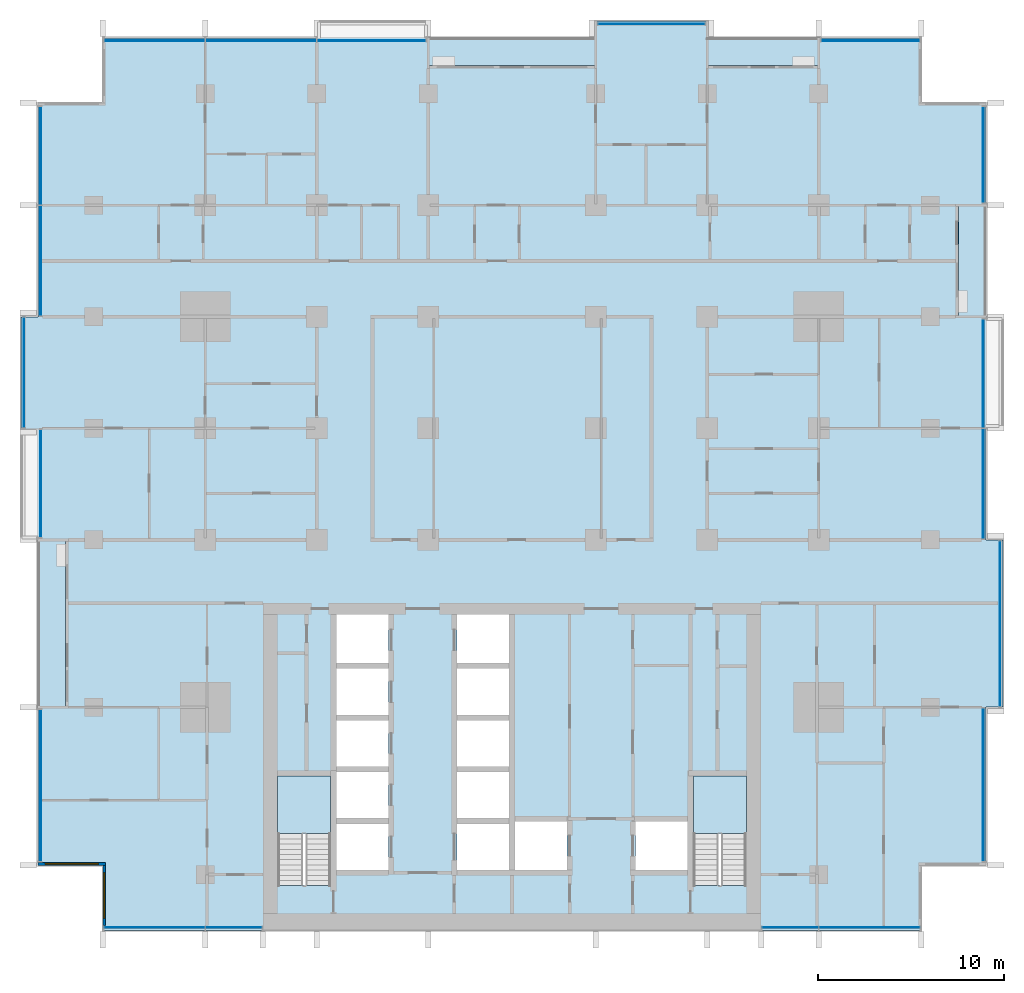
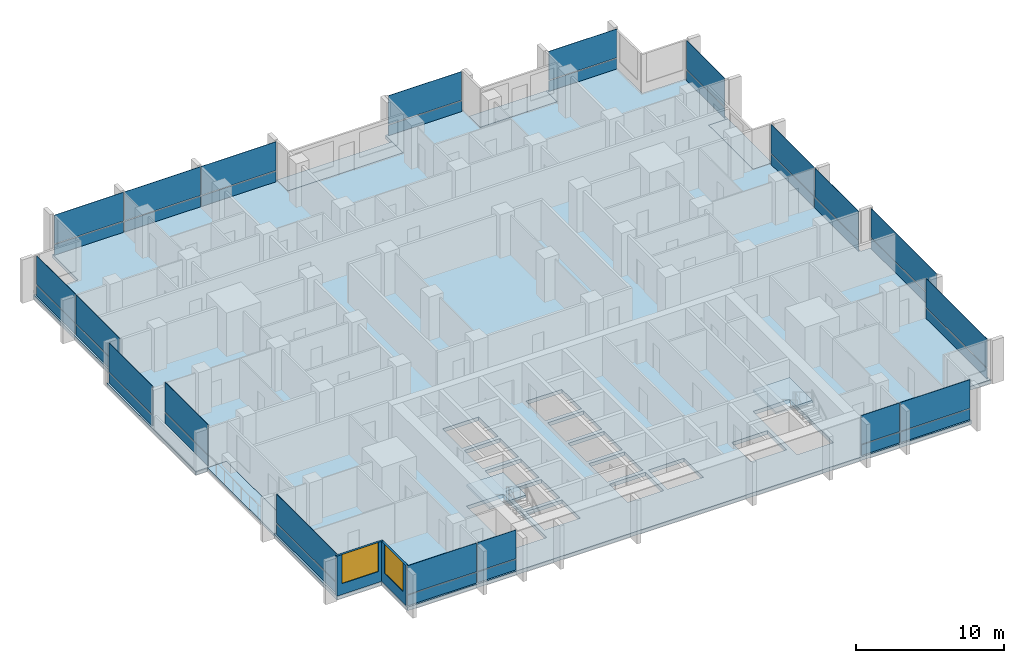
# One storey, part 6 of 19: 38 plates, 7 slabs, 2 walls, 2 windows, 2 openings, 15 elements without a shape of their own.
"""IFC4 building model written with IfcOpenShell, lengths in metres."""

from ifc_helpers import new_model, si_unit, direction, frame, frame_2d, origin, origin_2d, place, context, subcontext, project, spatial, polyline, rectangle, outline, extrude, material, layer, layer_set, type_object, element, fill, aggregate, save


model = new_model("IFC4")

# Units and contexts
model_context = context("Model", 3, precision=1e-05, world=origin(), true_north=direction((0.0, 1.0)))
body_context = subcontext(model_context, "Body", "Model", "MODEL_VIEW")
ifc_project = project(units=[si_unit("LENGTHUNIT", "METRE"), si_unit("AREAUNIT", "SQUARE_METRE"), si_unit("VOLUMEUNIT", "CUBIC_METRE"), si_unit("PLANEANGLEUNIT", "RADIAN"), si_unit("MASSUNIT", "GRAM", prefix="KILO")], contexts=[model_context])

# Site, building, storey
site_placement = place(None, origin())
site = spatial("IfcSite", under=ifc_project, at=site_placement, CompositionType="ELEMENT")
building_placement = place(site_placement, origin())
building = spatial("IfcBuilding", under=site, at=building_placement, Name="Finial Court Residences", CompositionType="ELEMENT")
storey_placement = place(building_placement, frame((0.0, 0.0, 88.300048828125)))
storey = spatial("IfcBuildingStorey", under=building, at=storey_placement, Name="L21", CompositionType="ELEMENT", Elevation=88.300048828125)

# Slabs
ifc_material_1 = material(Name="Concrete C35/45", Category="concrete")
ifc_layer_1 = layer(ifc_material_1, 0.199951171875)
ifc_layer_set_1 = layer_set([ifc_layer_1], Name="Balcony slab, Concrete C35/45 200")
slab_type_1 = type_object("IfcSlabType", Name="Balcony slab, Concrete C35/45 200", PredefinedType="FLOOR", material=ifc_layer_set_1)
slab_1_placement = place(storey_placement, frame((0.0, 0.0, -0.199951171875)))
element("IfcSlab", 1, at=slab_1_placement, inside=storey, type_object=slab_type_1, Name="Balcony L21-N4", PredefinedType="FLOOR", context=body_context, shape_type="SweptSolid", body=[
    extrude(outline(polyline([(4.5, 21.0), (4.5, 22.5), (-4.5, 22.5), (-4.5, 21.0), (4.5, 21.0)])), origin(), (0.0, 0.0, 1.0), 0.199951171875),
])
slab_2_placement = place(storey_placement, frame((0.0, 0.0, -0.199951171875)))
element("IfcSlab", 2, at=slab_2_placement, inside=storey, type_object=slab_type_1, Name="Balcony L21-N6", PredefinedType="FLOOR", context=body_context, shape_type="SweptSolid", body=[
    extrude(outline(polyline([(16.5, 21.0), (16.5, 22.5), (10.5, 22.5), (10.5, 21.0), (16.5, 21.0)])), origin(), (0.0, 0.0, 1.0), 0.199951171875),
])
slab_3_placement = place(storey_placement, frame((0.0, 0.0, -0.199951171875)))
element("IfcSlab", 3, at=slab_3_placement, inside=storey, type_object=slab_type_1, Name="Balcony L21-E5", PredefinedType="FLOOR", context=body_context, shape_type="SweptSolid", body=[
    extrude(outline(polyline([(25.5, 7.5), (25.5, 13.5), (24.0, 13.5), (24.0, 7.5), (25.5, 7.5)])), origin(), (0.0, 0.0, 1.0), 0.199951171875),
])
slab_4_placement = place(storey_placement, frame((0.0, 0.0, -0.199951171875)))
element("IfcSlab", 4, at=slab_4_placement, inside=storey, type_object=slab_type_1, Name="Balcony L21-W2", PredefinedType="FLOOR", context=body_context, shape_type="SweptSolid", body=[
    extrude(outline(polyline([(-24.0, -13.5), (-24.0, -4.5), (-25.5, -4.5), (-25.5, -13.5), (-24.0, -13.5)])), origin(), (0.0, 0.0, 1.0), 0.199951171875),
])

# Curtain wall, plates
ifc_material_2 = material(Name="Bronze anodised aluminium", Category="aluminium")
curtain_wall_type = type_object("IfcCurtainWallType", Name="Unitised curtain wall, lower and middle zones", PredefinedType="NOTDEFINED", material=ifc_material_2)
curtain_wall_1_placement = place(storey_placement, origin())
curtain_wall_1 = element("IfcCurtainWall", 5, at=curtain_wall_1_placement, inside=storey, type_object=curtain_wall_type, Name="E-L21-CW-N1", PredefinedType="NOTDEFINED")
ifc_layer_2 = layer(ifc_material_2, 0.0400390625)
ifc_layer_set_2 = layer_set([ifc_layer_2], Name="CW1 spandrel panel 40")
plate_type_1 = type_object("IfcPlateType", Name="CW1 spandrel panel 40", PredefinedType="CURTAIN_PANEL", material=ifc_layer_set_2)
plate_1_placement = place(storey_placement, frame((-19.23388671875, 22.35009765625, 0.0), z_axis=(0.0, 0.0, 1.0), x_axis=(1.0, 0.0, 0.0)))
plate_1 = element("IfcPlate", 6, at=plate_1_placement, type_object=plate_type_1, Name="CW1 spandrel 1.1", PredefinedType="CURTAIN_PANEL", context=body_context, shape_type="SweptSolid", body=[
    extrude(rectangle(XDim=5.402587890625, YDim=0.0400390625, at=origin_2d()), origin(), (0.0, 0.0, 1.0), 0.867431640625),
])
plate_2_placement = place(storey_placement, frame((-13.5, 22.35009765625, 0.0), z_axis=(0.0, 0.0, 1.0), x_axis=(1.0, 0.0, 0.0)))
plate_2 = element("IfcPlate", 7, at=plate_2_placement, type_object=plate_type_1, Name="CW1 spandrel 2.1", PredefinedType="CURTAIN_PANEL", context=body_context, shape_type="SweptSolid", body=[
    extrude(rectangle(XDim=5.93505859375, YDim=0.0400390625, at=origin_2d()), origin(), (0.0, 0.0, 1.0), 0.867431640625),
])
plate_3_placement = place(storey_placement, frame((-7.5537109375, 22.35009765625, 0.0), z_axis=(0.0, 0.0, 1.0), x_axis=(1.0, 0.0, 0.0)))
plate_3 = element("IfcPlate", 8, at=plate_3_placement, type_object=plate_type_1, Name="CW1 spandrel 3.1", PredefinedType="CURTAIN_PANEL", context=body_context, shape_type="SweptSolid", body=[
    extrude(rectangle(XDim=5.827392578125, YDim=0.0400390625, at=origin_2d()), origin(), (0.0, 0.0, 1.0), 0.867431640625),
])

# Curtain wall, plate
curtain_wall_2_placement = place(storey_placement, origin())
curtain_wall_2 = element("IfcCurtainWall", 9, at=curtain_wall_2_placement, inside=storey, type_object=curtain_wall_type, Name="E-L21-CW-N2", PredefinedType="NOTDEFINED")
plate_4_placement = place(storey_placement, frame((7.5, 23.25, 0.0), z_axis=(0.0, 0.0, 1.0), x_axis=(1.0, 0.0, 0.0)))
plate_4 = element("IfcPlate", 10, at=plate_4_placement, type_object=plate_type_1, Name="CW1 spandrel 1.1", PredefinedType="CURTAIN_PANEL", context=body_context, shape_type="SweptSolid", body=[
    extrude(rectangle(XDim=5.719970703125, YDim=0.0400390625, at=origin_2d()), origin(), (0.0, 0.0, 1.0), 0.867431640625),
])

curtain_wall_3_placement = place(storey_placement, origin())
curtain_wall_3 = element("IfcCurtainWall", 11, at=curtain_wall_3_placement, inside=storey, type_object=curtain_wall_type, Name="E-L21-CW-N3", PredefinedType="NOTDEFINED")
plate_5_placement = place(storey_placement, frame((19.28759765625, 22.35009765625, 0.0), z_axis=(0.0, 0.0, 1.0), x_axis=(1.0, 0.0, 0.0)))
plate_5 = element("IfcPlate", 12, at=plate_5_placement, type_object=plate_type_1, Name="CW1 spandrel 1.1", PredefinedType="CURTAIN_PANEL", context=body_context, shape_type="SweptSolid", body=[
    extrude(rectangle(XDim=5.294921875, YDim=0.0400390625, at=origin_2d()), origin(), (0.0, 0.0, 1.0), 0.867431640625),
])

curtain_wall_4_placement = place(storey_placement, origin())
curtain_wall_4 = element("IfcCurtainWall", 13, at=curtain_wall_4_placement, inside=storey, type_object=curtain_wall_type, Name="E-L21-CW-E4", PredefinedType="NOTDEFINED")
plate_6_placement = place(storey_placement, frame((25.35009765625, -17.675048828125, 0.0), z_axis=(0.0, 0.0, 1.0), x_axis=(0.0, 1.0, 0.0)))
plate_6 = element("IfcPlate", 14, at=plate_6_placement, type_object=plate_type_1, Name="CW1 spandrel 1.1", PredefinedType="CURTAIN_PANEL", context=body_context, shape_type="SweptSolid", body=[
    extrude(rectangle(XDim=8.219970703125, YDim=0.0400390625, at=origin_2d()), origin(), (0.0, 0.0, 1.0), 0.867431640625),
])

curtain_wall_5_placement = place(storey_placement, origin())
curtain_wall_5 = element("IfcCurtainWall", 15, at=curtain_wall_5_placement, inside=storey, type_object=curtain_wall_type, Name="E-L21-CW-E5", PredefinedType="NOTDEFINED")
plate_7_placement = place(storey_placement, frame((26.25, -9.0, 0.0), z_axis=(0.0, 0.0, 1.0), x_axis=(0.0, 1.0, 0.0)))
plate_7 = element("IfcPlate", 16, at=plate_7_placement, type_object=plate_type_1, Name="CW1 spandrel 1.1", PredefinedType="CURTAIN_PANEL", context=body_context, shape_type="SweptSolid", body=[
    extrude(rectangle(XDim=8.8701171875, YDim=0.0400390625, at=origin_2d()), origin(), (0.0, 0.0, 1.0), 0.867431640625),
])

# Curtain wall, plates
curtain_wall_6_placement = place(storey_placement, origin())
curtain_wall_6 = element("IfcCurtainWall", 17, at=curtain_wall_6_placement, inside=storey, type_object=curtain_wall_type, Name="E-L21-CW-E6", PredefinedType="NOTDEFINED")
plate_8_placement = place(storey_placement, frame((25.35009765625, -1.48388671875, 0.0), z_axis=(0.0, 0.0, 1.0), x_axis=(0.0, 1.0, 0.0)))
plate_8 = element("IfcPlate", 18, at=plate_8_placement, type_object=plate_type_1, Name="CW1 spandrel 1.1", PredefinedType="CURTAIN_PANEL", context=body_context, shape_type="SweptSolid", body=[
    extrude(rectangle(XDim=5.902587890625, YDim=0.0400390625, at=origin_2d()), origin(), (0.0, 0.0, 1.0), 0.867431640625),
])
plate_9_placement = place(storey_placement, frame((25.35009765625, 4.4462890625, 0.0), z_axis=(0.0, 0.0, 1.0), x_axis=(0.0, 1.0, 0.0)))
plate_9 = element("IfcPlate", 19, at=plate_9_placement, type_object=plate_type_1, Name="CW1 spandrel 2.1", PredefinedType="CURTAIN_PANEL", context=body_context, shape_type="SweptSolid", body=[
    extrude(rectangle(XDim=5.827392578125, YDim=0.0400390625, at=origin_2d()), origin(), (0.0, 0.0, 1.0), 0.867431640625),
])

# Curtain wall, plate
curtain_wall_7_placement = place(storey_placement, origin())
curtain_wall_7 = element("IfcCurtainWall", 20, at=curtain_wall_7_placement, inside=storey, type_object=curtain_wall_type, Name="E-L21-CW-E7", PredefinedType="NOTDEFINED")
plate_10_placement = place(storey_placement, frame((25.35009765625, 16.21240234375, 0.0), z_axis=(0.0, 0.0, 1.0), x_axis=(0.0, 1.0, 0.0)))
plate_10 = element("IfcPlate", 21, at=plate_10_placement, type_object=plate_type_1, Name="CW1 spandrel 1.1", PredefinedType="CURTAIN_PANEL", context=body_context, shape_type="SweptSolid", body=[
    extrude(rectangle(XDim=5.14501953125, YDim=0.0400390625, at=origin_2d()), origin(), (0.0, 0.0, 1.0), 0.867431640625),
])

# Curtain wall, plates
curtain_wall_8_placement = place(storey_placement, origin())
curtain_wall_8 = element("IfcCurtainWall", 22, at=curtain_wall_8_placement, inside=storey, type_object=curtain_wall_type, Name="E-L21-CW-S8", PredefinedType="NOTDEFINED")
plate_11_placement = place(storey_placement, frame((-19.23388671875, -25.35009765625, 0.0), z_axis=(0.0, 0.0, 1.0), x_axis=(1.0, 0.0, 0.0)))
plate_11 = element("IfcPlate", 23, at=plate_11_placement, type_object=plate_type_1, Name="CW1 spandrel 1.1", PredefinedType="CURTAIN_PANEL", context=body_context, shape_type="SweptSolid", body=[
    extrude(rectangle(XDim=5.402587890625, YDim=0.0400390625, at=origin_2d()), origin(), (0.0, 0.0, 1.0), 0.867431640625),
])
plate_12_placement = place(storey_placement, frame((-14.96630859375, -25.35009765625, 0.0), z_axis=(0.0, 0.0, 1.0), x_axis=(1.0, 0.0, 0.0)))
plate_12 = element("IfcPlate", 24, at=plate_12_placement, type_object=plate_type_1, Name="CW1 spandrel 2.1", PredefinedType="CURTAIN_PANEL", context=body_context, shape_type="SweptSolid", body=[
    extrude(rectangle(XDim=3.00244140625, YDim=0.0400390625, at=origin_2d()), origin(), (0.0, 0.0, 1.0), 0.867431640625),
])

curtain_wall_9_placement = place(storey_placement, origin())
curtain_wall_9 = element("IfcCurtainWall", 25, at=curtain_wall_9_placement, inside=storey, type_object=curtain_wall_type, Name="E-L21-CW-S9", PredefinedType="NOTDEFINED")
plate_13_placement = place(storey_placement, frame((14.96630859375, -25.35009765625, 0.0), z_axis=(0.0, 0.0, 1.0), x_axis=(1.0, 0.0, 0.0)))
plate_13 = element("IfcPlate", 26, at=plate_13_placement, type_object=plate_type_1, Name="CW1 spandrel 1.1", PredefinedType="CURTAIN_PANEL", context=body_context, shape_type="SweptSolid", body=[
    extrude(rectangle(XDim=3.00244140625, YDim=0.0400390625, at=origin_2d()), origin(), (0.0, 0.0, 1.0), 0.867431640625),
])
plate_14_placement = place(storey_placement, frame((19.23388671875, -25.35009765625, 0.0), z_axis=(0.0, 0.0, 1.0), x_axis=(1.0, 0.0, 0.0)))
plate_14 = element("IfcPlate", 27, at=plate_14_placement, type_object=plate_type_1, Name="CW1 spandrel 2.1", PredefinedType="CURTAIN_PANEL", context=body_context, shape_type="SweptSolid", body=[
    extrude(rectangle(XDim=5.402587890625, YDim=0.0400390625, at=origin_2d()), origin(), (0.0, 0.0, 1.0), 0.867431640625),
])

# Curtain wall, plate
curtain_wall_10_placement = place(storey_placement, origin())
curtain_wall_10 = element("IfcCurtainWall", 28, at=curtain_wall_10_placement, inside=storey, type_object=curtain_wall_type, Name="E-L21-CW-W10", PredefinedType="NOTDEFINED")
plate_15_placement = place(storey_placement, frame((-25.35009765625, -17.71240234375, 0.0), z_axis=(0.0, 0.0, 1.0), x_axis=(0.0, 1.0, 0.0)))
plate_15 = element("IfcPlate", 29, at=plate_15_placement, type_object=plate_type_1, Name="CW1 spandrel 1.1", PredefinedType="CURTAIN_PANEL", context=body_context, shape_type="SweptSolid", body=[
    extrude(rectangle(XDim=8.14501953125, YDim=0.0400390625, at=origin_2d()), origin(), (0.0, 0.0, 1.0), 0.867431640625),
])

curtain_wall_11_placement = place(storey_placement, origin())
curtain_wall_11 = element("IfcCurtainWall", 30, at=curtain_wall_11_placement, inside=storey, type_object=curtain_wall_type, Name="E-L21-CW-W11", PredefinedType="NOTDEFINED")
plate_16_placement = place(storey_placement, frame((-25.35009765625, -1.46240234375, 0.0), z_axis=(0.0, 0.0, 1.0), x_axis=(0.0, 1.0, 0.0)))
plate_16 = element("IfcPlate", 31, at=plate_16_placement, type_object=plate_type_1, Name="CW1 spandrel 1.1", PredefinedType="CURTAIN_PANEL", context=body_context, shape_type="SweptSolid", body=[
    extrude(rectangle(XDim=5.794921875, YDim=0.0400390625, at=origin_2d()), origin(), (0.0, 0.0, 1.0), 0.867431640625),
])

curtain_wall_12_placement = place(storey_placement, origin())
curtain_wall_12 = element("IfcCurtainWall", 32, at=curtain_wall_12_placement, inside=storey, type_object=curtain_wall_type, Name="E-L21-CW-W12", PredefinedType="NOTDEFINED")
plate_17_placement = place(storey_placement, frame((-26.25, 4.5, 0.0), z_axis=(0.0, 0.0, 1.0), x_axis=(0.0, 1.0, 0.0)))
plate_17 = element("IfcPlate", 33, at=plate_17_placement, type_object=plate_type_1, Name="CW1 spandrel 1.1", PredefinedType="CURTAIN_PANEL", context=body_context, shape_type="SweptSolid", body=[
    extrude(rectangle(XDim=5.8701171875, YDim=0.0400390625, at=origin_2d()), origin(), (0.0, 0.0, 1.0), 0.867431640625),
])

# Curtain wall, plates
curtain_wall_13_placement = place(storey_placement, origin())
curtain_wall_13 = element("IfcCurtainWall", 34, at=curtain_wall_13_placement, inside=storey, type_object=curtain_wall_type, Name="E-L21-CW-W13", PredefinedType="NOTDEFINED")
plate_18_placement = place(storey_placement, frame((-25.35009765625, 10.51611328125, 0.0), z_axis=(0.0, 0.0, 1.0), x_axis=(0.0, 1.0, 0.0)))
plate_18 = element("IfcPlate", 35, at=plate_18_placement, type_object=plate_type_1, Name="CW1 spandrel 1.1", PredefinedType="CURTAIN_PANEL", context=body_context, shape_type="SweptSolid", body=[
    extrude(rectangle(XDim=5.902587890625, YDim=0.0400390625, at=origin_2d()), origin(), (0.0, 0.0, 1.0), 0.867431640625),
])
plate_19_placement = place(storey_placement, frame((-25.35009765625, 16.15869140625, 0.0), z_axis=(0.0, 0.0, 1.0), x_axis=(0.0, 1.0, 0.0)))
plate_19 = element("IfcPlate", 36, at=plate_19_placement, type_object=plate_type_1, Name="CW1 spandrel 2.1", PredefinedType="CURTAIN_PANEL", context=body_context, shape_type="SweptSolid", body=[
    extrude(rectangle(XDim=5.25244140625, YDim=0.0400390625, at=origin_2d()), origin(), (0.0, 0.0, 1.0), 0.867431640625),
])

# Plate
ifc_material_3 = material(Name="Clear low-e glass", Category="glass")
ifc_layer_3 = layer(ifc_material_3, 0.031982421875)
ifc_layer_set_3 = layer_set([ifc_layer_3], Name="CW1 vision glass 32")
plate_type_2 = type_object("IfcPlateType", Name="CW1 vision glass 32", PredefinedType="CURTAIN_PANEL", material=ifc_layer_set_3)
plate_20_placement = place(storey_placement, frame((-19.23388671875, 22.35009765625, 0.9326171875), z_axis=(0.0, 0.0, 1.0), x_axis=(1.0, 0.0, 0.0)))
plate_20 = element("IfcPlate", 37, at=plate_20_placement, type_object=plate_type_2, Name="CW1 glass 1.2", PredefinedType="CURTAIN_PANEL", context=body_context, shape_type="SweptSolid", body=[
    extrude(rectangle(XDim=5.402587890625, YDim=0.031982421875, at=origin_2d()), origin(), (0.0, 0.0, 1.0), 2.367431640625),
])

plate_21_placement = place(storey_placement, frame((-13.5, 22.35009765625, 0.9326171875), z_axis=(0.0, 0.0, 1.0), x_axis=(1.0, 0.0, 0.0)))
plate_21 = element("IfcPlate", 38, at=plate_21_placement, type_object=plate_type_2, Name="CW1 glass 2.2", PredefinedType="CURTAIN_PANEL", context=body_context, shape_type="SweptSolid", body=[
    extrude(rectangle(XDim=5.93505859375, YDim=0.031982421875, at=origin_2d()), origin(), (0.0, 0.0, 1.0), 2.367431640625),
])

plate_22_placement = place(storey_placement, frame((-7.5537109375, 22.35009765625, 0.9326171875), z_axis=(0.0, 0.0, 1.0), x_axis=(1.0, 0.0, 0.0)))
plate_22 = element("IfcPlate", 39, at=plate_22_placement, type_object=plate_type_2, Name="CW1 glass 3.2", PredefinedType="CURTAIN_PANEL", context=body_context, shape_type="SweptSolid", body=[
    extrude(rectangle(XDim=5.827392578125, YDim=0.031982421875, at=origin_2d()), origin(), (0.0, 0.0, 1.0), 2.367431640625),
])

aggregate(curtain_wall_1, [plate_1, plate_20, plate_2, plate_21, plate_3, plate_22])

plate_23_placement = place(storey_placement, frame((7.5, 23.25, 0.9326171875), z_axis=(0.0, 0.0, 1.0), x_axis=(1.0, 0.0, 0.0)))
plate_23 = element("IfcPlate", 40, at=plate_23_placement, type_object=plate_type_2, Name="CW1 glass 1.2", PredefinedType="CURTAIN_PANEL", context=body_context, shape_type="SweptSolid", body=[
    extrude(rectangle(XDim=5.719970703125, YDim=0.031982421875, at=origin_2d()), origin(), (0.0, 0.0, 1.0), 2.367431640625),
])

aggregate(curtain_wall_2, [plate_4, plate_23])

plate_24_placement = place(storey_placement, frame((19.28759765625, 22.35009765625, 0.9326171875), z_axis=(0.0, 0.0, 1.0), x_axis=(1.0, 0.0, 0.0)))
plate_24 = element("IfcPlate", 41, at=plate_24_placement, type_object=plate_type_2, Name="CW1 glass 1.2", PredefinedType="CURTAIN_PANEL", context=body_context, shape_type="SweptSolid", body=[
    extrude(rectangle(XDim=5.294921875, YDim=0.031982421875, at=origin_2d()), origin(), (0.0, 0.0, 1.0), 2.367431640625),
])

aggregate(curtain_wall_3, [plate_5, plate_24])

plate_25_placement = place(storey_placement, frame((25.35009765625, -17.675048828125, 0.9326171875), z_axis=(0.0, 0.0, 1.0), x_axis=(0.0, 1.0, 0.0)))
plate_25 = element("IfcPlate", 42, at=plate_25_placement, type_object=plate_type_2, Name="CW1 glass 1.2", PredefinedType="CURTAIN_PANEL", context=body_context, shape_type="SweptSolid", body=[
    extrude(rectangle(XDim=8.219970703125, YDim=0.031982421875, at=origin_2d()), origin(), (0.0, 0.0, 1.0), 2.367431640625),
])

aggregate(curtain_wall_4, [plate_6, plate_25])

plate_26_placement = place(storey_placement, frame((26.25, -9.0, 0.9326171875), z_axis=(0.0, 0.0, 1.0), x_axis=(0.0, 1.0, 0.0)))
plate_26 = element("IfcPlate", 43, at=plate_26_placement, type_object=plate_type_2, Name="CW1 glass 1.2", PredefinedType="CURTAIN_PANEL", context=body_context, shape_type="SweptSolid", body=[
    extrude(rectangle(XDim=8.8701171875, YDim=0.031982421875, at=origin_2d()), origin(), (0.0, 0.0, 1.0), 2.367431640625),
])

aggregate(curtain_wall_5, [plate_7, plate_26])

plate_27_placement = place(storey_placement, frame((25.35009765625, -1.48388671875, 0.9326171875), z_axis=(0.0, 0.0, 1.0), x_axis=(0.0, 1.0, 0.0)))
plate_27 = element("IfcPlate", 44, at=plate_27_placement, type_object=plate_type_2, Name="CW1 glass 1.2", PredefinedType="CURTAIN_PANEL", context=body_context, shape_type="SweptSolid", body=[
    extrude(rectangle(XDim=5.902587890625, YDim=0.031982421875, at=origin_2d()), origin(), (0.0, 0.0, 1.0), 2.367431640625),
])

plate_28_placement = place(storey_placement, frame((25.35009765625, 4.4462890625, 0.9326171875), z_axis=(0.0, 0.0, 1.0), x_axis=(0.0, 1.0, 0.0)))
plate_28 = element("IfcPlate", 45, at=plate_28_placement, type_object=plate_type_2, Name="CW1 glass 2.2", PredefinedType="CURTAIN_PANEL", context=body_context, shape_type="SweptSolid", body=[
    extrude(rectangle(XDim=5.827392578125, YDim=0.031982421875, at=origin_2d()), origin(), (0.0, 0.0, 1.0), 2.367431640625),
])

aggregate(curtain_wall_6, [plate_8, plate_27, plate_9, plate_28])

plate_29_placement = place(storey_placement, frame((25.35009765625, 16.21240234375, 0.9326171875), z_axis=(0.0, 0.0, 1.0), x_axis=(0.0, 1.0, 0.0)))
plate_29 = element("IfcPlate", 46, at=plate_29_placement, type_object=plate_type_2, Name="CW1 glass 1.2", PredefinedType="CURTAIN_PANEL", context=body_context, shape_type="SweptSolid", body=[
    extrude(rectangle(XDim=5.14501953125, YDim=0.031982421875, at=origin_2d()), origin(), (0.0, 0.0, 1.0), 2.367431640625),
])

aggregate(curtain_wall_7, [plate_10, plate_29])

plate_30_placement = place(storey_placement, frame((-19.23388671875, -25.35009765625, 0.9326171875), z_axis=(0.0, 0.0, 1.0), x_axis=(1.0, 0.0, 0.0)))
plate_30 = element("IfcPlate", 47, at=plate_30_placement, type_object=plate_type_2, Name="CW1 glass 1.2", PredefinedType="CURTAIN_PANEL", context=body_context, shape_type="SweptSolid", body=[
    extrude(rectangle(XDim=5.402587890625, YDim=0.031982421875, at=origin_2d()), origin(), (0.0, 0.0, 1.0), 2.367431640625),
])

plate_31_placement = place(storey_placement, frame((-14.96630859375, -25.35009765625, 0.9326171875), z_axis=(0.0, 0.0, 1.0), x_axis=(1.0, 0.0, 0.0)))
plate_31 = element("IfcPlate", 48, at=plate_31_placement, type_object=plate_type_2, Name="CW1 glass 2.2", PredefinedType="CURTAIN_PANEL", context=body_context, shape_type="SweptSolid", body=[
    extrude(rectangle(XDim=3.00244140625, YDim=0.031982421875, at=origin_2d()), origin(), (0.0, 0.0, 1.0), 2.367431640625),
])

aggregate(curtain_wall_8, [plate_11, plate_30, plate_12, plate_31])

plate_32_placement = place(storey_placement, frame((14.96630859375, -25.35009765625, 0.9326171875), z_axis=(0.0, 0.0, 1.0), x_axis=(1.0, 0.0, 0.0)))
plate_32 = element("IfcPlate", 49, at=plate_32_placement, type_object=plate_type_2, Name="CW1 glass 1.2", PredefinedType="CURTAIN_PANEL", context=body_context, shape_type="SweptSolid", body=[
    extrude(rectangle(XDim=3.00244140625, YDim=0.031982421875, at=origin_2d()), origin(), (0.0, 0.0, 1.0), 2.367431640625),
])

plate_33_placement = place(storey_placement, frame((19.23388671875, -25.35009765625, 0.9326171875), z_axis=(0.0, 0.0, 1.0), x_axis=(1.0, 0.0, 0.0)))
plate_33 = element("IfcPlate", 50, at=plate_33_placement, type_object=plate_type_2, Name="CW1 glass 2.2", PredefinedType="CURTAIN_PANEL", context=body_context, shape_type="SweptSolid", body=[
    extrude(rectangle(XDim=5.402587890625, YDim=0.031982421875, at=origin_2d()), origin(), (0.0, 0.0, 1.0), 2.367431640625),
])

aggregate(curtain_wall_9, [plate_13, plate_32, plate_14, plate_33])

plate_34_placement = place(storey_placement, frame((-25.35009765625, -17.71240234375, 0.9326171875), z_axis=(0.0, 0.0, 1.0), x_axis=(0.0, 1.0, 0.0)))
plate_34 = element("IfcPlate", 51, at=plate_34_placement, type_object=plate_type_2, Name="CW1 glass 1.2", PredefinedType="CURTAIN_PANEL", context=body_context, shape_type="SweptSolid", body=[
    extrude(rectangle(XDim=8.14501953125, YDim=0.031982421875, at=origin_2d()), origin(), (0.0, 0.0, 1.0), 2.367431640625),
])

aggregate(curtain_wall_10, [plate_15, plate_34])

plate_35_placement = place(storey_placement, frame((-25.35009765625, -1.46240234375, 0.9326171875), z_axis=(0.0, 0.0, 1.0), x_axis=(0.0, 1.0, 0.0)))
plate_35 = element("IfcPlate", 52, at=plate_35_placement, type_object=plate_type_2, Name="CW1 glass 1.2", PredefinedType="CURTAIN_PANEL", context=body_context, shape_type="SweptSolid", body=[
    extrude(rectangle(XDim=5.794921875, YDim=0.031982421875, at=origin_2d()), origin(), (0.0, 0.0, 1.0), 2.467529296875),
])

aggregate(curtain_wall_11, [plate_16, plate_35])

plate_36_placement = place(storey_placement, frame((-26.25, 4.5, 0.9326171875), z_axis=(0.0, 0.0, 1.0), x_axis=(0.0, 1.0, 0.0)))
plate_36 = element("IfcPlate", 53, at=plate_36_placement, type_object=plate_type_2, Name="CW1 glass 1.2", PredefinedType="CURTAIN_PANEL", context=body_context, shape_type="SweptSolid", body=[
    extrude(rectangle(XDim=5.8701171875, YDim=0.031982421875, at=origin_2d()), origin(), (0.0, 0.0, 1.0), 2.367431640625),
])

aggregate(curtain_wall_12, [plate_17, plate_36])

plate_37_placement = place(storey_placement, frame((-25.35009765625, 10.51611328125, 0.9326171875), z_axis=(0.0, 0.0, 1.0), x_axis=(0.0, 1.0, 0.0)))
plate_37 = element("IfcPlate", 54, at=plate_37_placement, type_object=plate_type_2, Name="CW1 glass 1.2", PredefinedType="CURTAIN_PANEL", context=body_context, shape_type="SweptSolid", body=[
    extrude(rectangle(XDim=5.902587890625, YDim=0.031982421875, at=origin_2d()), origin(), (0.0, 0.0, 1.0), 2.367431640625),
])

plate_38_placement = place(storey_placement, frame((-25.35009765625, 16.15869140625, 0.9326171875), z_axis=(0.0, 0.0, 1.0), x_axis=(0.0, 1.0, 0.0)))
plate_38 = element("IfcPlate", 55, at=plate_38_placement, type_object=plate_type_2, Name="CW1 glass 2.2", PredefinedType="CURTAIN_PANEL", context=body_context, shape_type="SweptSolid", body=[
    extrude(rectangle(XDim=5.25244140625, YDim=0.031982421875, at=origin_2d()), origin(), (0.0, 0.0, 1.0), 2.367431640625),
])

aggregate(curtain_wall_13, [plate_18, plate_37, plate_19, plate_38])

# Stair, slab
ifc_material_4 = material(Name="Concrete C50/60", Category="concrete")
stair_type = type_object("IfcStairType", Name="Exit stair 22 risers of 163.6 mm", PredefinedType="HALF_TURN_STAIR", material=ifc_material_4)
stair_1_placement = place(storey_placement, origin())
stair_1 = element("IfcStair", 56, at=stair_1_placement, inside=storey, type_object=stair_type, Name="L21 Exit stair ST-1", PredefinedType="HALF_TURN_STAIR")
ifc_layer_4 = layer(ifc_material_4, 0.199951171875)
ifc_layer_set_4 = layer_set([ifc_layer_4], Name="Exit stair landing")
slab_type_2 = type_object("IfcSlabType", Name="Exit stair landing", PredefinedType="LANDING", material=ifc_layer_set_4)
slab_5_placement = place(storey_placement, frame((0.0, 0.0, 1.599853515625)))
slab_5 = element("IfcSlab", 57, at=slab_5_placement, type_object=slab_type_2, Name="ST-1 landing 1", PredefinedType="LANDING", context=body_context, shape_type="SweptSolid", body=[
    extrude(outline(polyline([(-9.75, -20.300048828125), (-9.75, -17.199951171875), (-12.60009765625, -17.199951171875), (-12.60009765625, -20.300048828125), (-9.75, -20.300048828125)])), origin(), (0.0, 0.0, 1.0), 0.2001953125),
])
aggregate(stair_1, [slab_5])

stair_2_placement = place(storey_placement, origin())
stair_2 = element("IfcStair", 58, at=stair_2_placement, inside=storey, type_object=stair_type, Name="L21 Exit stair ST-2", PredefinedType="HALF_TURN_STAIR")
slab_6_placement = place(storey_placement, frame((0.0, 0.0, 1.599853515625)))
slab_6 = element("IfcSlab", 59, at=slab_6_placement, type_object=slab_type_2, Name="ST-2 landing 1", PredefinedType="LANDING", context=body_context, shape_type="SweptSolid", body=[
    extrude(outline(polyline([(12.60009765625, -20.300048828125), (12.60009765625, -17.199951171875), (9.75, -17.199951171875), (9.75, -20.300048828125), (12.60009765625, -20.300048828125)])), origin(), (0.0, 0.0, 1.0), 0.2001953125),
])
aggregate(stair_2, [slab_6])

# Slab
ifc_material_5 = material(Name="Concrete C40/50", Category="concrete")
ifc_layer_5 = layer(ifc_material_5, 0.300048828125)
ifc_layer_set_5 = layer_set([ifc_layer_5], Name="Flat plate slab 300 Concrete C40/50")
slab_type_3 = type_object("IfcSlabType", Name="Flat plate slab 300 Concrete C40/50", PredefinedType="FLOOR", material=ifc_layer_set_5)
slab_7_placement = place(storey_placement, frame((0.0, 0.0, -0.300048828125)))
element("IfcSlab", 60, at=slab_7_placement, inside=storey, type_object=slab_type_3, Name="S:SLAB:L21", PredefinedType="FLOOR", context=body_context, shape_type="SweptSolid", body=[
    extrude(outline(polyline([(-26.39990234375, 1.5), (-26.39990234375, 7.5), (-25.5, 7.5), (-25.5, 19.0), (-22.0, 19.0), (-22.0, 22.5), (-10.5, 22.5), (-10.5, 23.39990234375), (-4.5, 23.39990234375), (-4.5, 22.5), (-4.5, 21.0), (4.5, 21.0), (4.5, 22.5), (4.5, 23.39990234375), (10.5, 23.39990234375), (10.5, 22.5), (10.5, 21.0), (16.5, 21.0), (16.5, 22.5), (22.0, 22.5), (22.0, 19.0), (25.5, 19.0), (25.5, 13.5), (24.0, 13.5), (24.0, 7.5), (25.5, 7.5), (26.39990234375, 7.5), (26.39990234375, 1.5), (25.5, 1.5), (25.5, -4.5), (26.39990234375, -4.5), (26.39990234375, -13.5), (25.5, -13.5), (25.5, -22.0), (22.0, -22.0), (22.0, -25.5), (-22.0, -25.5), (-22.0, -22.0), (-25.5, -22.0), (-25.5, -13.5), (-24.0, -13.5), (-24.0, -4.5), (-25.5, -4.5), (-26.39990234375, -4.5), (-26.39990234375, 1.5)]), holes=[polyline([(-6.64990234375, -19.77001953125), (-9.449951171875, -19.77001953125), (-9.449951171875, -22.25), (-6.64990234375, -22.25), (-6.64990234375, -19.77001953125)]), polyline([(-9.75, -17.199951171875), (-12.60009765625, -17.199951171875), (-12.60009765625, -23.09912109375), (-9.75, -23.09912109375), (-9.75, -17.199951171875)]), polyline([(-6.64990234375, -19.469970703125), (-6.64990234375, -16.989990234375), (-9.449951171875, -16.989990234375), (-9.449951171875, -19.469970703125), (-6.64990234375, -19.469970703125)]), polyline([(-6.64990234375, -16.68994140625), (-6.64990234375, -14.2099609375), (-9.449951171875, -14.2099609375), (-9.449951171875, -16.68994140625), (-6.64990234375, -16.68994140625)]), polyline([(-6.64990234375, -13.909912109375), (-6.64990234375, -11.429931640625), (-9.449951171875, -11.429931640625), (-9.449951171875, -13.909912109375), (-6.64990234375, -13.909912109375)]), polyline([(-6.64990234375, -11.1298828125), (-6.64990234375, -8.5), (-9.449951171875, -8.5), (-9.449951171875, -11.1298828125), (-6.64990234375, -11.1298828125)]), polyline([(-0.14990234375, -11.1298828125), (-0.14990234375, -8.5), (-2.949951171875, -8.5), (-2.949951171875, -11.1298828125), (-0.14990234375, -11.1298828125)]), polyline([(-0.14990234375, -19.77001953125), (-2.949951171875, -19.77001953125), (-2.949951171875, -22.25), (-0.14990234375, -22.25), (-0.14990234375, -19.77001953125)]), polyline([(2.949951171875, -22.25), (2.949951171875, -19.64990234375), (0.14990234375, -19.64990234375), (0.14990234375, -22.25), (2.949951171875, -22.25)]), polyline([(9.449951171875, -22.25), (9.449951171875, -19.64990234375), (6.64990234375, -19.64990234375), (6.64990234375, -22.25), (9.449951171875, -22.25)]), polyline([(12.60009765625, -17.199951171875), (9.75, -17.199951171875), (9.75, -23.09912109375), (12.60009765625, -23.09912109375), (12.60009765625, -17.199951171875)]), polyline([(-0.14990234375, -19.469970703125), (-0.14990234375, -16.989990234375), (-2.949951171875, -16.989990234375), (-2.949951171875, -19.469970703125), (-0.14990234375, -19.469970703125)]), polyline([(-0.14990234375, -16.68994140625), (-0.14990234375, -14.2099609375), (-2.949951171875, -14.2099609375), (-2.949951171875, -16.68994140625), (-0.14990234375, -16.68994140625)]), polyline([(-0.14990234375, -13.909912109375), (-0.14990234375, -11.429931640625), (-2.949951171875, -11.429931640625), (-2.949951171875, -13.909912109375), (-0.14990234375, -13.909912109375)])]), origin(), (0.0, 0.0, 1.0), 0.300048828125),
])

# Wall, opening, window
ifc_material_6 = material(Name="Natural limestone", Category="masonry")
ifc_layer_6 = layer(ifc_material_6, 0.14990234375)
ifc_layer_set_6 = layer_set([ifc_layer_6], Name="Limestone clad wall 150")
wall_type = type_object("IfcWallType", Name="Limestone clad wall 150", PredefinedType="SOLIDWALL", material=ifc_layer_set_6)
wall_1_placement = place(storey_placement, frame((-21.925048828125, -25.25, 0.0), z_axis=(0.0, 0.0, 1.0), x_axis=(0.0, 1.0, 0.0)))
wall_1 = element("IfcWall", 61, at=wall_1_placement, inside=storey, type_object=wall_type, Name="E-L21-NWW14", PredefinedType="SOLIDWALL", context=body_context, shape_type="SweptSolid", body=[
    extrude(rectangle(XDim=3.25, YDim=0.14990234375, at=frame_2d((1.625, 0.0))), origin(), (0.0, 0.0, 1.0), 3.300048828125),
])
opening_1_placement = place(wall_1_placement, frame((0.39990234375, 0.0, 0.89990234375)))
opening_1 = element("IfcOpeningElement", 62, at=opening_1_placement, cuts=wall_1, Name="Opening WE21-01", PredefinedType="OPENING", context=body_context, shape_type="SweptSolid", body=[
    extrude(rectangle(XDim=2.449951171875, YDim=2.39990234375, at=frame_2d((1.22509765625, 1.199951171875))), frame((0.0, 0.0849609375, 0.0), z_axis=(0.0, -1.0, 0.0), x_axis=(1.0, 0.0, 0.0)), (0.0, 0.0, 1.0), 0.169921875),
])
window_type_1 = type_object("IfcWindowType", Name="Corner window 2450 x 2400", PartitioningType="SINGLE_PANEL", PredefinedType="WINDOW", material=ifc_material_3)
window_1_placement = place(opening_1_placement, origin())
window_1 = element("IfcWindow", 63, at=window_1_placement, inside=storey, type_object=window_type_1, Name="E-L21-NWW14-W1", OverallHeight=2.39990234375, OverallWidth=2.449951171875, PartitioningType="SINGLE_PANEL", PredefinedType="WINDOW", context=body_context, shape_type="SweptSolid", body=[
    extrude(rectangle(XDim=2.449951171875, YDim=2.39990234375, at=frame_2d((1.22509765625, 1.199951171875))), frame((0.0, 0.030029296875, 0.0), z_axis=(0.0, -1.0, 0.0), x_axis=(1.0, 0.0, 0.0)), (0.0, 0.0, 1.0), 0.06005859375),
])
fill(opening_1, window_1)

wall_2_placement = place(storey_placement, frame((-21.85009765625, -21.925048828125, 0.0), z_axis=(0.0, 0.0, 1.0), x_axis=(-1.0, 0.0, 0.0)))
wall_2 = element("IfcWall", 64, at=wall_2_placement, inside=storey, type_object=wall_type, Name="E-L21-NWS15", PredefinedType="SOLIDWALL", context=body_context, shape_type="SweptSolid", body=[
    extrude(rectangle(XDim=3.64990234375, YDim=0.14990234375, at=frame_2d((1.824951171875, 0.0))), origin(), (0.0, 0.0, 1.0), 3.300048828125),
])
opening_2_placement = place(wall_2_placement, frame((0.39990234375, 0.0, 0.89990234375)))
opening_2 = element("IfcOpeningElement", 65, at=opening_2_placement, cuts=wall_2, Name="Opening WE21-02", PredefinedType="OPENING", context=body_context, shape_type="SweptSolid", body=[
    extrude(rectangle(XDim=2.85009765625, YDim=2.39990234375, at=frame_2d((1.425048828125, 1.199951171875))), frame((0.0, 0.0849609375, 0.0), z_axis=(0.0, -1.0, 0.0), x_axis=(1.0, 0.0, 0.0)), (0.0, 0.0, 1.0), 0.169921875),
])
window_type_2 = type_object("IfcWindowType", Name="Corner window 2850 x 2400", PartitioningType="SINGLE_PANEL", PredefinedType="WINDOW", material=ifc_material_3)
window_2_placement = place(opening_2_placement, origin())
window_2 = element("IfcWindow", 66, at=window_2_placement, inside=storey, type_object=window_type_2, Name="E-L21-NWS15-W1", OverallHeight=2.39990234375, OverallWidth=2.85009765625, PartitioningType="SINGLE_PANEL", PredefinedType="WINDOW", context=body_context, shape_type="SweptSolid", body=[
    extrude(rectangle(XDim=2.85009765625, YDim=2.39990234375, at=frame_2d((1.425048828125, 1.199951171875))), frame((0.0, 0.030029296875, 0.0), z_axis=(0.0, -1.0, 0.0), x_axis=(1.0, 0.0, 0.0)), (0.0, 0.0, 1.0), 0.06005859375),
])
fill(opening_2, window_2)

save(model, "model.ifc")
